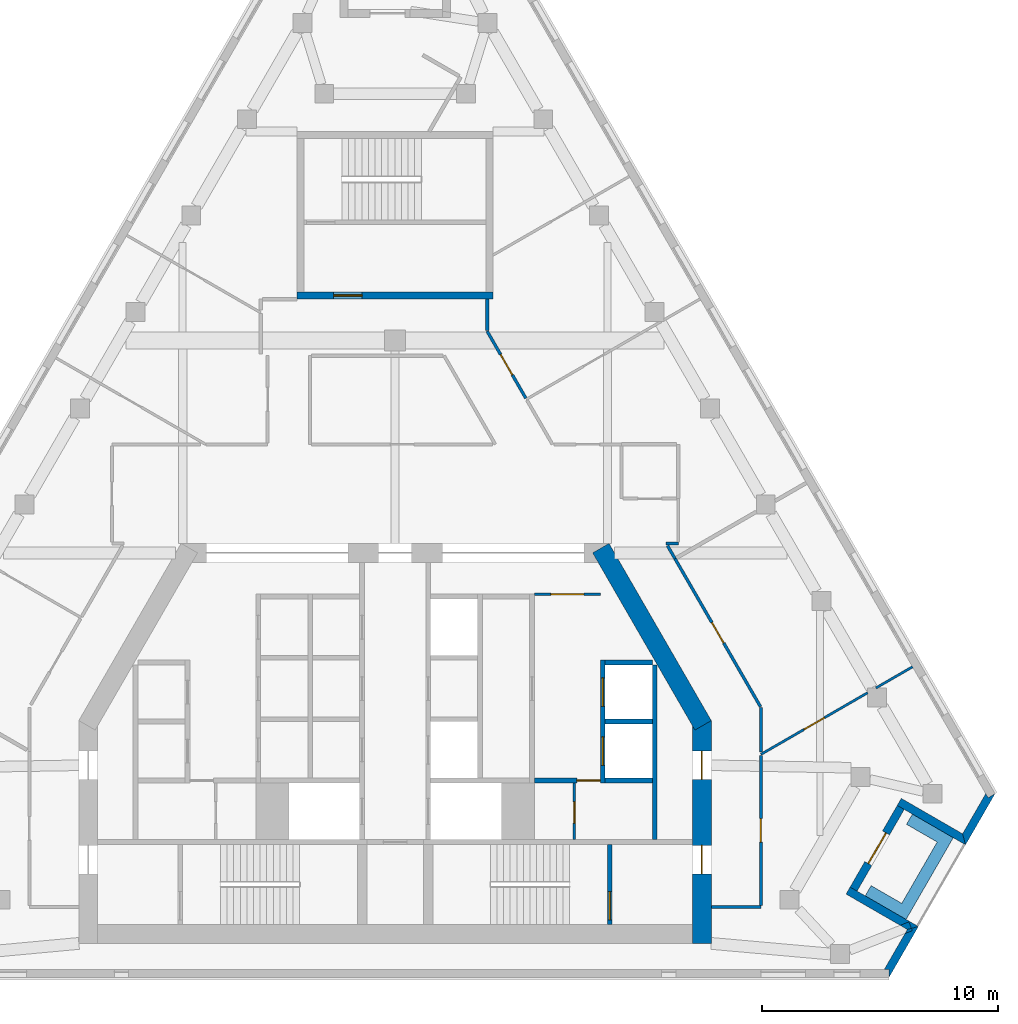
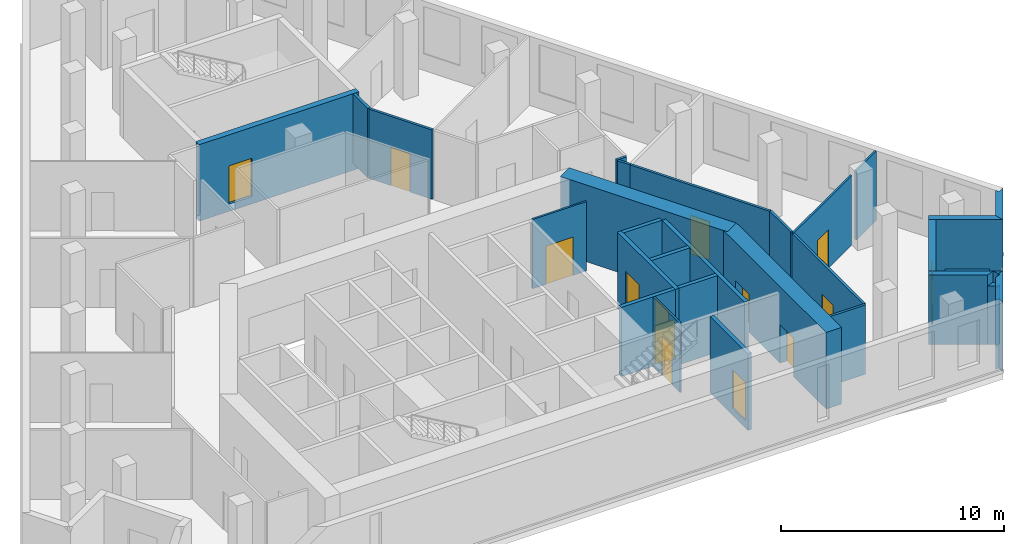
# One storey, part 5 of 9: 30 walls, 14 doors, 14 openings.
"""IFC4 building model written with IfcOpenShell, lengths in metres."""

from ifc_helpers import new_model, si_unit, direction, frame, frame_2d, origin, place, context, subcontext, project, spatial, polyline, rectangle, outline, extrude, material, layer, layer_set, type_object, element, fill, save


model = new_model("IFC4")

# Units and contexts
model_context = context("Model", 3, precision=1e-05, world=origin(), true_north=direction((0.0, 1.0)))
body_context = subcontext(model_context, "Body", "Model", "MODEL_VIEW")
ifc_project = project(units=[si_unit("LENGTHUNIT", "METRE"), si_unit("AREAUNIT", "SQUARE_METRE"), si_unit("VOLUMEUNIT", "CUBIC_METRE"), si_unit("PLANEANGLEUNIT", "RADIAN"), si_unit("MASSUNIT", "GRAM", prefix="KILO")], contexts=[model_context])

# Site, building, storey
site_placement = place(None, origin())
site = spatial("IfcSite", under=ifc_project, at=site_placement, CompositionType="ELEMENT")
building_placement = place(site_placement, origin())
building = spatial("IfcBuilding", under=site, at=building_placement, Name="Fogline Exchange Tower", CompositionType="ELEMENT")
storey_placement = place(building_placement, frame((0.0, 0.0, 279.300048828125)))
storey = spatial("IfcBuildingStorey", under=building, at=storey_placement, Name="L63", CompositionType="ELEMENT", Elevation=279.300048828125)

# Wall, opening, door
ifc_material_1 = material(Name="Blockwork partition", Category="masonry")
ifc_layer_1 = layer(ifc_material_1, 0.10009765625)
ifc_layer_set_1 = layer_set([ifc_layer_1], Name="CW10")
wall_type_1 = type_object("IfcWallType", Name="CW10", PredefinedType="PARTITIONING", material=ifc_layer_set_1)
wall_1_placement = place(storey_placement, frame((5.89990234375, 16.25, 0.0), z_axis=(0.0, 0.0, 1.0), x_axis=(1.0, 0.0, 0.0)))
wall_1 = element("IfcWall", 1, at=wall_1_placement, inside=storey, type_object=wall_type_1, Name="Lift lobby partition", PredefinedType="PARTITIONING", context=body_context, shape_type="SweptSolid", body=[
    extrude(rectangle(XDim=2.800048828125, YDim=0.10009765625, at=frame_2d((1.39990234375, 0.0))), origin(), (0.0, 0.0, 1.0), 3.800048828125),
])
opening_1_placement = place(wall_1_placement, frame((0.699951171875, 0.0, 0.0)))
opening_1 = element("IfcOpeningElement", 2, at=opening_1_placement, cuts=wall_1, Name="Opening T20-C017", PredefinedType="OPENING", context=body_context, shape_type="SweptSolid", body=[
    extrude(rectangle(XDim=1.39990234375, YDim=2.10009765625, at=frame_2d((0.699951171875, 1.050048828125))), frame((0.0, 0.06005859375, 0.0), z_axis=(0.0, -1.0, 0.0), x_axis=(1.0, 0.0, 0.0)), (0.0, 0.0, 1.0), 0.1201171875),
])
ifc_material_2 = material(Name="Steel and timber fire door", Category="steel")
door_type_1 = type_object("IfcDoorType", Name="D-LB1", OperationType="DOUBLE_DOOR_SINGLE_SWING", PredefinedType="DOOR", material=ifc_material_2)
door_1_placement = place(opening_1_placement, origin())
door_1 = element("IfcDoor", 3, at=door_1_placement, inside=storey, type_object=door_type_1, Name="Door to lift lobby", OperationType="DOUBLE_DOOR_SINGLE_SWING", OverallHeight=2.10009765625, OverallWidth=1.39990234375, PredefinedType="DOOR", context=body_context, shape_type="SweptSolid", body=[
    extrude(rectangle(XDim=1.39990234375, YDim=2.10009765625, at=frame_2d((0.699951171875, 1.050048828125))), frame((0.0, 0.02490234375, 0.0), z_axis=(0.0, -1.0, 0.0), x_axis=(1.0, 0.0, 0.0)), (0.0, 0.0, 1.0), 0.050048828125),
])
fill(opening_1, door_1)

wall_2_placement = place(storey_placement, frame((7.60009765625, 5.85009765625, 0.0), z_axis=(0.0, 0.0, 1.0), x_axis=(0.0, 1.0, 0.0)))
wall_2 = element("IfcWall", 4, at=wall_2_placement, inside=storey, type_object=wall_type_1, Name="WC partition", PredefinedType="PARTITIONING", context=body_context, shape_type="SweptSolid", body=[
    extrude(rectangle(XDim=2.39990234375, YDim=0.10009765625, at=frame_2d((1.199951171875, 0.0))), origin(), (0.0, 0.0, 1.0), 3.800048828125),
])
opening_2_placement = place(wall_2_placement, frame((0.699951171875, 0.0, 0.0)))
opening_2 = element("IfcOpeningElement", 5, at=opening_2_placement, cuts=wall_2, Name="Opening T20-C019", PredefinedType="OPENING", context=body_context, shape_type="SweptSolid", body=[
    extrude(rectangle(XDim=0.89990234375, YDim=2.10009765625, at=frame_2d((0.449951171875, 1.050048828125))), frame((0.0, 0.06005859375, 0.0), z_axis=(0.0, -1.0, 0.0), x_axis=(1.0, 0.0, 0.0)), (0.0, 0.0, 1.0), 0.1201171875),
])
door_type_2 = type_object("IfcDoorType", Name="D-CS1", OperationType="SINGLE_SWING_RIGHT", PredefinedType="DOOR", material=ifc_material_2)
door_2_placement = place(opening_2_placement, origin())
door_2 = element("IfcDoor", 6, at=door_2_placement, inside=storey, type_object=door_type_2, Name="Door to Cleaner's Store", OperationType="SINGLE_SWING_LEFT", OverallHeight=2.10009765625, OverallWidth=0.89990234375, PredefinedType="DOOR", context=body_context, shape_type="SweptSolid", body=[
    extrude(rectangle(XDim=0.89990234375, YDim=2.10009765625, at=frame_2d((0.449951171875, 1.050048828125))), frame((0.0, 0.02490234375, 0.0), z_axis=(0.0, -1.0, 0.0), x_axis=(1.0, 0.0, 0.0)), (0.0, 0.0, 1.0), 0.050048828125),
])
fill(opening_2, door_2)

# Wall
ifc_material_3 = material(Name="Concrete C40", Category="concrete")
ifc_layer_2 = layer(ifc_material_3, 0.199951171875)
ifc_layer_set_2 = layer_set([ifc_layer_2], Name="CW20")
wall_type_2 = type_object("IfcWallType", Name="CW20", PredefinedType="SOLIDWALL", material=ifc_layer_set_2)
wall_3_placement = place(storey_placement, frame((11.0, 5.85009765625, 0.0), z_axis=(0.0, 0.0, 1.0), x_axis=(0.0, 1.0, 0.0)))
element("IfcWall", 7, at=wall_3_placement, inside=storey, type_object=wall_type_2, Name="Service room wall", PredefinedType="SOLIDWALL", context=body_context, shape_type="SweptSolid", body=[
    extrude(rectangle(XDim=7.39990234375, YDim=0.199951171875, at=frame_2d((3.699951171875, 0.0))), origin(), (0.0, 0.0, 1.0), 3.800048828125),
])

# Wall, opening, door
wall_4_placement = place(storey_placement, frame((5.89990234375, 8.35009765625, 0.0), z_axis=(0.0, 0.0, 1.0), x_axis=(1.0, 0.0, 0.0)))
wall_4 = element("IfcWall", 8, at=wall_4_placement, inside=storey, type_object=wall_type_2, Name="WC wall", PredefinedType="SOLIDWALL", context=body_context, shape_type="SweptSolid", body=[
    extrude(rectangle(XDim=2.800048828125, YDim=0.199951171875, at=frame_2d((1.39990234375, 0.0))), origin(), (0.0, 0.0, 1.0), 3.800048828125),
])
opening_3_placement = place(wall_4_placement, frame((1.800048828125, 0.0, 0.0)))
opening_3 = element("IfcOpeningElement", 9, at=opening_3_placement, cuts=wall_4, Name="Opening T20-C018", PredefinedType="OPENING", context=body_context, shape_type="SweptSolid", body=[
    extrude(rectangle(XDim=1.0, YDim=2.10009765625, at=frame_2d((0.5, 1.050048828125))), frame((0.0, 0.10986328125, 0.0), z_axis=(0.0, -1.0, 0.0), x_axis=(1.0, 0.0, 0.0)), (0.0, 0.0, 1.0), 0.219970703125),
])
door_type_3 = type_object("IfcDoorType", Name="D-WC1", OperationType="SINGLE_SWING_LEFT", PredefinedType="DOOR", material=ifc_material_2)
door_3_placement = place(opening_3_placement, frame((1.0, 0.0, 0.0), z_axis=(0.0, 0.0, 1.0), x_axis=(-1.0, 0.0, 0.0)))
door_3 = element("IfcDoor", 10, at=door_3_placement, inside=storey, type_object=door_type_3, Name="Door to Women's WC", OperationType="SINGLE_SWING_LEFT", OverallHeight=2.10009765625, OverallWidth=1.0, PredefinedType="DOOR", context=body_context, shape_type="SweptSolid", body=[
    extrude(rectangle(XDim=1.0, YDim=2.10009765625, at=frame_2d((0.5, 1.050048828125))), frame((0.0, 0.02490234375, 0.0), z_axis=(0.0, -1.0, 0.0), x_axis=(1.0, 0.0, 0.0)), (0.0, 0.0, 1.0), 0.050048828125),
])
fill(opening_3, door_3)

ifc_layer_3 = layer(ifc_material_3, 0.199951171875)
ifc_layer_set_3 = layer_set([ifc_layer_3], Name="CW20R")
wall_type_3 = type_object("IfcWallType", Name="CW20R", PredefinedType="SOLIDWALL", material=ifc_layer_set_3)
wall_5_placement = place(storey_placement, frame((9.10009765625, 2.25, -0.400146484375), z_axis=(0.0, 0.0, 1.0), x_axis=(0.0, 1.0, 0.0)))
wall_5 = element("IfcWall", 11, at=wall_5_placement, inside=storey, type_object=wall_type_3, Name="Stair enclosure wall", PredefinedType="SOLIDWALL", context=body_context, shape_type="SweptSolid", body=[
    extrude(rectangle(XDim=3.39990234375, YDim=0.199951171875, at=frame_2d((1.699951171875, 0.0))), origin(), (0.0, 0.0, 1.0), 4.2001953125),
])
opening_4_placement = place(wall_5_placement, frame((0.199951171875, 0.0, 0.39990234375)))
opening_4 = element("IfcOpeningElement", 12, at=opening_4_placement, cuts=wall_5, Name="Opening T20-C021", PredefinedType="OPENING", context=body_context, shape_type="SweptSolid", body=[
    extrude(rectangle(XDim=1.199951171875, YDim=2.10009765625, at=frame_2d((0.60009765625, 1.050048828125))), frame((0.0, 0.10986328125, 0.0), z_axis=(0.0, -1.0, 0.0), x_axis=(1.0, 0.0, 0.0)), (0.0, 0.0, 1.0), 0.219970703125),
])
door_type_4 = type_object("IfcDoorType", Name="D-ST1", OperationType="SINGLE_SWING_LEFT", PredefinedType="DOOR", material=ifc_material_2)
door_4_placement = place(opening_4_placement, origin())
door_4 = element("IfcDoor", 13, at=door_4_placement, inside=storey, type_object=door_type_4, Name="Stair door ST2", OperationType="SINGLE_SWING_LEFT", OverallHeight=2.10009765625, OverallWidth=1.199951171875, PredefinedType="DOOR", context=body_context, shape_type="SweptSolid", body=[
    extrude(rectangle(XDim=1.199951171875, YDim=2.10009765625, at=frame_2d((0.60009765625, 1.050048828125))), frame((0.0, 0.02490234375, 0.0), z_axis=(0.0, -1.0, 0.0), x_axis=(1.0, 0.0, 0.0)), (0.0, 0.0, 1.0), 0.050048828125),
])
fill(opening_4, door_4)

# Wall, openings, doors
ifc_layer_4 = layer(ifc_material_3, 0.199951171875)
ifc_layer_set_4 = layer_set([ifc_layer_4], Name="CW20S")
wall_type_4 = type_object("IfcWallType", Name="CW20S", PredefinedType="SOLIDWALL", material=ifc_layer_set_4)
wall_6_placement = place(storey_placement, frame((8.800048828125, 8.25, -0.400146484375), z_axis=(0.0, 0.0, 1.0), x_axis=(0.0, 1.0, 0.0)))
wall_6 = element("IfcWall", 14, at=wall_6_placement, inside=storey, type_object=wall_type_4, Name="Lift shaft wall", PredefinedType="SOLIDWALL", context=body_context, shape_type="SweptSolid", body=[
    extrude(rectangle(XDim=5.199951171875, YDim=0.199951171875, at=frame_2d((2.60009765625, 0.0))), origin(), (0.0, 0.0, 1.0), 4.2001953125),
])
opening_5_placement = place(wall_6_placement, frame((0.75, 0.0, 0.39990234375)))
opening_5 = element("IfcOpeningElement", 15, at=opening_5_placement, cuts=wall_6, Name="Opening T20-LD02", PredefinedType="OPENING", context=body_context, shape_type="SweptSolid", body=[
    extrude(rectangle(XDim=1.199951171875, YDim=2.10009765625, at=frame_2d((0.60009765625, 1.050048828125))), frame((0.0, 0.10986328125, 0.0), z_axis=(0.0, -1.0, 0.0), x_axis=(1.0, 0.0, 0.0)), (0.0, 0.0, 1.0), 0.219970703125),
])
opening_6_placement = place(wall_6_placement, frame((3.25, 0.0, 0.39990234375)))
opening_6 = element("IfcOpeningElement", 16, at=opening_6_placement, cuts=wall_6, Name="Opening T20-LD03", PredefinedType="OPENING", context=body_context, shape_type="SweptSolid", body=[
    extrude(rectangle(XDim=1.199951171875, YDim=2.10009765625, at=frame_2d((0.60009765625, 1.050048828125))), frame((0.0, 0.10986328125, 0.0), z_axis=(0.0, -1.0, 0.0), x_axis=(1.0, 0.0, 0.0)), (0.0, 0.0, 1.0), 0.219970703125),
])
door_type_5 = type_object("IfcDoorType", Name="LD1", OperationType="SLIDING_TO_LEFT", PredefinedType="DOOR", material=ifc_material_2)
door_5_placement = place(opening_5_placement, origin())
door_5 = element("IfcDoor", 17, at=door_5_placement, inside=storey, type_object=door_type_5, Name="Landing door HR1", OperationType="SLIDING_TO_LEFT", OverallHeight=2.10009765625, OverallWidth=1.199951171875, PredefinedType="DOOR", context=body_context, shape_type="SweptSolid", body=[
    extrude(rectangle(XDim=1.199951171875, YDim=2.10009765625, at=frame_2d((0.60009765625, 1.050048828125))), frame((0.0, 0.02490234375, 0.0), z_axis=(0.0, -1.0, 0.0), x_axis=(1.0, 0.0, 0.0)), (0.0, 0.0, 1.0), 0.050048828125),
])
fill(opening_5, door_5)
door_6_placement = place(opening_6_placement, origin())
door_6 = element("IfcDoor", 18, at=door_6_placement, inside=storey, type_object=door_type_5, Name="Landing door HR2", OperationType="SLIDING_TO_LEFT", OverallHeight=2.10009765625, OverallWidth=1.199951171875, PredefinedType="DOOR", context=body_context, shape_type="SweptSolid", body=[
    extrude(rectangle(XDim=1.199951171875, YDim=2.10009765625, at=frame_2d((0.60009765625, 1.050048828125))), frame((0.0, 0.02490234375, 0.0), z_axis=(0.0, -1.0, 0.0), x_axis=(1.0, 0.0, 0.0)), (0.0, 0.0, 1.0), 0.050048828125),
])
fill(opening_6, door_6)

# Walls
for number, where, z_axis, x_axis, name in (
    (19, (8.89990234375, 8.35009765625, -0.400146484375), (0.0, 0.0, 1.0), (1.0, 0.0, 0.0), "Lift shaft wall"),
    (20, (8.89990234375, 10.85009765625, -0.400146484375), (0.0, 0.0, 1.0), (1.0, 0.0, 0.0), "Lift shaft wall"),
    (21, (8.89990234375, 13.35009765625, -0.400146484375), (0.0, 0.0, 1.0), (1.0, 0.0, 0.0), "Lift shaft wall"),
):
    element("IfcWall", number, at=place(storey_placement, frame(where, z_axis=z_axis, x_axis=x_axis)), inside=storey, type_object=wall_type_4, Name=name, PredefinedType="SOLIDWALL", context=body_context, shape_type="SweptSolid", body=[
        extrude(rectangle(XDim=2.0, YDim=0.199951171875, at=frame_2d((1.0, 0.0))), origin(), (0.0, 0.0, 1.0), 4.2001953125),
    ])

# Wall, opening, door
ifc_layer_5 = layer(ifc_material_3, 0.300048828125)
ifc_layer_set_5 = layer_set([ifc_layer_5], Name="CW30")
wall_type_5 = type_object("IfcWallType", Name="CW30", PredefinedType="SOLIDWALL", material=ifc_layer_set_5)
wall_7_placement = place(storey_placement, frame((-4.14990234375, 28.906982421875, -0.400146484375), z_axis=(0.0, 0.0, 1.0), x_axis=(1.0, 0.0, 0.0)))
wall_7 = element("IfcWall", 22, at=wall_7_placement, inside=storey, type_object=wall_type_5, Name="Stair enclosure wall ST3", PredefinedType="SOLIDWALL", context=body_context, shape_type="SweptSolid", body=[
    extrude(rectangle(XDim=8.2998046875, YDim=0.300048828125, at=frame_2d((4.14990234375, 0.0))), origin(), (0.0, 0.0, 1.0), 4.2001953125),
])
opening_7_placement = place(wall_7_placement, frame((1.550048828125, 0.0, 0.39990234375)))
opening_7 = element("IfcOpeningElement", 23, at=opening_7_placement, cuts=wall_7, Name="Opening T20-C026", PredefinedType="OPENING", context=body_context, shape_type="SweptSolid", body=[
    extrude(rectangle(XDim=1.199951171875, YDim=2.10009765625, at=frame_2d((0.60009765625, 1.050048828125))), frame((0.0, 0.16015625, 0.0), z_axis=(0.0, -1.0, 0.0), x_axis=(1.0, 0.0, 0.0)), (0.0, 0.0, 1.0), 0.320068359375),
])
door_type_6 = type_object("IfcDoorType", Name="D-FR1", OperationType="SINGLE_SWING_RIGHT", PredefinedType="DOOR", material=ifc_material_2)
door_7_placement = place(opening_7_placement, origin())
door_7 = element("IfcDoor", 24, at=door_7_placement, inside=storey, type_object=door_type_6, Name="Front room door ST3", OperationType="SINGLE_SWING_LEFT", OverallHeight=2.10009765625, OverallWidth=1.199951171875, PredefinedType="DOOR", context=body_context, shape_type="SweptSolid", body=[
    extrude(rectangle(XDim=1.199951171875, YDim=2.10009765625, at=frame_2d((0.60009765625, 1.050048828125))), frame((0.0, 0.02490234375, 0.0), z_axis=(0.0, -1.0, 0.0), x_axis=(1.0, 0.0, 0.0)), (0.0, 0.0, 1.0), 0.050048828125),
])
fill(opening_7, door_7)

# Walls
ifc_material_4 = material(Name="Brick masonry", Category="masonry")
ifc_layer_6 = layer(ifc_material_4, 0.340087890625)
ifc_layer_set_6 = layer_set([ifc_layer_6], Name="FW1")
wall_type_6 = type_object("IfcWallType", Name="FW1", PredefinedType="SOLIDWALL", material=ifc_layer_set_6)
wall_8_placement = place(storey_placement, origin())
element("IfcWall", 25, at=wall_8_placement, inside=storey, type_object=wall_type_6, Name="Brick wall L63 SE-c1", PredefinedType="SOLIDWALL", context=body_context, shape_type="SweptSolid", body=[
    extrude(outline(polyline([(21.709716796875, 2.041015625), (21.8818359375, 2.087158203125), (21.919921875, 1.99072265625), (21.610107421875, 1.86865234375), (21.709716796875, 2.041015625)])), origin(), (0.0, 0.0, 1.0), 3.199951171875),
])
wall_9_placement = place(storey_placement, origin())
element("IfcWall", 26, at=wall_9_placement, inside=storey, type_object=wall_type_6, Name="Brick wall L63 SE-c1", PredefinedType="SOLIDWALL", context=body_context, shape_type="SweptSolid", body=[
    extrude(outline(polyline([(20.924560546875, -0.001220703125), (20.924072265625, -0.0009765625), (20.924072265625, 0.33935546875), (20.727294921875, 0.33935546875), (21.610107421875, 1.86865234375), (21.919921875, 1.99072265625), (21.8818359375, 2.087158203125), (22.175537109375, 2.166015625), (22.175537109375, 2.165771484375), (20.924560546875, -0.001220703125)])), origin(), (0.0, 0.0, 1.0), 3.800048828125),
])
wall_10_placement = place(storey_placement, origin())
element("IfcWall", 27, at=wall_10_placement, inside=storey, type_object=wall_type_6, Name="Brick wall L63 SE-s1", PredefinedType="SOLIDWALL", context=body_context, shape_type="SweptSolid", body=[
    extrude(outline(polyline([(21.7099609375, 2.0400390625), (21.403076171875, 2.217041015625), (21.7734375, 2.36279296875), (21.88232421875, 2.086181640625), (21.7099609375, 2.0400390625)])), origin(), (0.0, 0.0, 1.0), 3.199951171875),
])
wall_11_placement = place(storey_placement, origin())
element("IfcWall", 28, at=wall_11_placement, inside=storey, type_object=wall_type_6, Name="Brick wall L63 SE-s1", PredefinedType="SOLIDWALL", context=body_context, shape_type="SweptSolid", body=[
    extrude(outline(polyline([(19.28173828125, 3.8359375), (19.576904296875, 3.66552734375), (22.17578125, 2.1650390625), (22.17578125, 2.164794921875), (21.88232421875, 2.086181640625), (21.7734375, 2.36279296875), (21.403076171875, 2.217041015625), (19.111328125, 3.540283203125), (19.28173828125, 3.8359375)])), origin(), (0.0, 0.0, 1.0), 3.800048828125),
])

# Wall, opening, door
wall_12_placement = place(storey_placement, frame((19.42919921875, 3.75, 0.0), z_axis=(0.0, 0.0, 1.0), x_axis=(0.49999894854, 0.866026010844, 0.0)))
wall_12 = element("IfcWall", 29, at=wall_12_placement, inside=storey, type_object=wall_type_6, Name="Brick wall L63 SE-bk", PredefinedType="SOLIDWALL", context=body_context, shape_type="SweptSolid", body=[
    extrude(rectangle(XDim=4.0, YDim=0.340087890625, at=frame_2d((2.0, 0.0))), origin(), (0.0, 0.0, 1.0), 3.800048828125),
])
opening_8_placement = place(wall_12_placement, frame((1.25, 0.0, 0.0)))
opening_8 = element("IfcOpeningElement", 30, at=opening_8_placement, cuts=wall_12, Name="Opening T20-E081", PredefinedType="OPENING", context=body_context, shape_type="SweptSolid", body=[
    extrude(rectangle(XDim=1.5, YDim=2.39990234375, at=frame_2d((0.75, 1.199951171875))), frame((0.0, 0.18017578125, 0.0), z_axis=(0.0, -1.0, 0.0), x_axis=(1.0, 0.0, 0.0)), (0.0, 0.0, 1.0), 0.360107421875),
])
ifc_material_5 = material(Name="Aluminium and glass", Category="aluminium")
door_type_7 = type_object("IfcDoorType", Name="ED4", OperationType="SINGLE_SWING_LEFT", PredefinedType="DOOR", material=ifc_material_5)
door_8_placement = place(opening_8_placement, frame((1.5, 0.0, 0.0), z_axis=(0.0, 0.0, 1.0), x_axis=(-1.0, 0.0, 0.0)))
door_8 = element("IfcDoor", 31, at=door_8_placement, inside=storey, type_object=door_type_7, Name="Balcony door L63 SE", OperationType="DOUBLE_DOOR_SINGLE_SWING", OverallHeight=2.39990234375, OverallWidth=1.5, PredefinedType="DOOR", context=body_context, shape_type="SweptSolid", body=[
    extrude(rectangle(XDim=1.5, YDim=2.39990234375, at=frame_2d((0.75, 1.199951171875))), frame((0.0, 0.02490234375, 0.0), z_axis=(0.0, -1.0, 0.0), x_axis=(1.0, 0.0, 0.0)), (0.0, 0.0, 1.0), 0.050048828125),
])
fill(opening_8, door_8)

# Walls
wall_13_placement = place(storey_placement, origin())
element("IfcWall", 32, at=wall_13_placement, inside=storey, type_object=wall_type_6, Name="Brick wall L63 SE-s2", PredefinedType="SOLIDWALL", context=body_context, shape_type="SweptSolid", body=[
    extrude(outline(polyline([(24.17529296875, 5.628173828125), (21.576171875, 7.128662109375), (21.28125, 7.298828125), (21.451904296875, 7.594482421875), (24.050537109375, 6.093994140625), (24.175537109375, 5.62841796875), (24.17529296875, 5.628173828125)])), origin(), (0.0, 0.0, 1.0), 3.800048828125),
])
wall_14_placement = place(storey_placement, origin())
element("IfcWall", 33, at=wall_14_placement, inside=storey, type_object=wall_type_6, Name="Brick wall L63 SE-c2", PredefinedType="SOLIDWALL", context=body_context, shape_type="SweptSolid", body=[
    extrude(outline(polyline([(25.031982421875, 7.79541015625), (25.13037109375, 7.625), (25.42529296875, 7.79541015625), (25.425537109375, 7.794921875), (24.174560546875, 5.6279296875), (24.17431640625, 5.6279296875), (24.049560546875, 6.09375), (25.031982421875, 7.79541015625)])), origin(), (0.0, 0.0, 1.0), 3.800048828125),
])
ifc_material_6 = material(Name="Concrete C30", Category="concrete")
ifc_layer_7 = layer(ifc_material_6, 0.199951171875)
ifc_layer_set_7 = layer_set([ifc_layer_7], Name="PL1")
wall_type_7 = type_object("IfcWallType", Name="PL1", PredefinedType="USERDEFINED", material=ifc_layer_set_7)
wall_15_placement = place(storey_placement, origin())
element("IfcWall", 34, at=wall_15_placement, inside=storey, type_object=wall_type_7, Name="PLANTER balcony L63 SE", ObjectType="PLANTER", PredefinedType="USERDEFINED", context=body_context, shape_type="SweptSolid", body=[
    extrude(outline(polyline([(19.9228515625, 3.465087890625), (21.221923828125, 2.715087890625), (21.221923828125, 2.715087890625), (21.655029296875, 2.465087890625), (23.405029296875, 5.49609375), (23.655029296875, 5.92919921875), (21.9228515625, 6.92919921875), (21.6728515625, 6.49609375), (22.971923828125, 5.74609375), (21.471923828125, 3.148193359375), (20.1728515625, 3.898193359375), (19.9228515625, 3.465087890625)])), origin(), (0.0, 0.0, 1.0), 1.099853515625),
])

# Wall, opening, door
ifc_material_7 = material(Name="Plasterboard partition, 2 layers each side on steel studs", Category="steel")
ifc_layer_8 = layer(ifc_material_7, 0.10009765625)
ifc_layer_set_8 = layer_set([ifc_layer_8], Name="PW1")
wall_type_8 = type_object("IfcWallType", Name="PW1", PredefinedType="PARTITIONING", material=ifc_layer_set_8)
wall_16_placement = place(storey_placement, frame((15.5, 9.4599609375, 0.0), z_axis=(0.0, 0.0, 1.0), x_axis=(0.866036909293, 0.499980071345, 0.0)))
wall_16 = element("IfcWall", 35, at=wall_16_placement, inside=storey, type_object=wall_type_8, Name="wall-L63-W046", PredefinedType="PARTITIONING", context=body_context, shape_type="SweptSolid", body=[
    extrude(rectangle(XDim=5.222900390625, YDim=0.10009765625, at=frame_2d((2.611328125, 0.0))), origin(), (0.0, 0.0, 1.0), 3.800048828125),
])
opening_9_placement = place(wall_16_placement, frame((2.111328125, 0.0, 0.0)))
opening_9 = element("IfcOpeningElement", 36, at=opening_9_placement, cuts=wall_16, Name="Opening T20-D016", PredefinedType="OPENING", context=body_context, shape_type="SweptSolid", body=[
    extrude(rectangle(XDim=1.0, YDim=2.10009765625, at=frame_2d((0.5, 1.050048828125))), frame((0.0, 0.06005859375, 0.0), z_axis=(0.0, -1.0, 0.0), x_axis=(1.0, 0.0, 0.0)), (0.0, 0.0, 1.0), 0.1201171875),
])
ifc_material_8 = material(Name="Timber door leaf with steel frame", Category="steel")
door_type_8 = type_object("IfcDoorType", Name="D1", OperationType="SINGLE_SWING_LEFT", PredefinedType="DOOR", material=ifc_material_8)
door_9_placement = place(opening_9_placement, origin())
door_9 = element("IfcDoor", 37, at=door_9_placement, inside=storey, type_object=door_type_8, Name="door-L63-D016", OperationType="SINGLE_SWING_LEFT", OverallHeight=2.10009765625, OverallWidth=1.0, PredefinedType="DOOR", context=body_context, shape_type="SweptSolid", body=[
    extrude(rectangle(XDim=1.0, YDim=2.10009765625, at=frame_2d((0.5, 1.050048828125))), frame((0.0, 0.02490234375, 0.0), z_axis=(0.0, -1.0, 0.0), x_axis=(1.0, 0.0, 0.0)), (0.0, 0.0, 1.0), 0.050048828125),
])
fill(opening_9, door_9)

# Walls
wall_17_placement = place(storey_placement, frame((20.37939453125, 12.277099609375, 0.0), z_axis=(0.0, 0.0, 1.0), x_axis=(0.866058244174, 0.499943114462, 0.0)))
element("IfcWall", 38, at=wall_17_placement, inside=storey, type_object=wall_type_8, Name="wall-L63-W047", PredefinedType="PARTITIONING", context=body_context, shape_type="SweptSolid", body=[
    extrude(rectangle(XDim=1.787841796875, YDim=0.10009765625, at=frame_2d((0.89404296875, 0.0))), origin(), (0.0, 0.0, 1.0), 3.800048828125),
])
ifc_material_9 = material(Name="Plasterboard corridor partition with mineral wool, 2 layers each side")
ifc_layer_9 = layer(ifc_material_9, 0.125)
ifc_layer_set_9 = layer_set([ifc_layer_9], Name="PW2")
wall_type_9 = type_object("IfcWallType", Name="PW2", PredefinedType="PARTITIONING", material=ifc_layer_set_9)
wall_18_placement = place(storey_placement, frame((11.54443359375, 18.305908203125, 0.0), z_axis=(0.0, 0.0, 1.0), x_axis=(0.499920965119, -0.866071029786, 0.0)))
element("IfcWall", 39, at=wall_18_placement, inside=storey, type_object=wall_type_9, Name="wall-L63-W001", PredefinedType="PARTITIONING", context=body_context, shape_type="SweptSolid", body=[
    extrude(rectangle(XDim=0.638671875, YDim=0.125, at=frame_2d((0.3193359375, 0.0))), origin(), (0.0, 0.0, 1.0), 3.800048828125),
])

# Wall, opening, door
wall_19_placement = place(storey_placement, frame((15.5, 9.416015625, 0.0), z_axis=(0.0, 0.0, 1.0), x_axis=(0.0, -1.0, 0.0)))
wall_19 = element("IfcWall", 40, at=wall_19_placement, inside=storey, type_object=wall_type_9, Name="wall-L63-W002", PredefinedType="PARTITIONING", context=body_context, shape_type="SweptSolid", body=[
    extrude(rectangle(XDim=6.353515625, YDim=0.125, at=frame_2d((3.1767578125, 0.0))), origin(), (0.0, 0.0, 1.0), 3.800048828125),
])
opening_10_placement = place(wall_19_placement, frame((2.6767578125, 0.0, 0.0)))
opening_10 = element("IfcOpeningElement", 41, at=opening_10_placement, cuts=wall_19, Name="Opening T20-D001", PredefinedType="OPENING", context=body_context, shape_type="SweptSolid", body=[
    extrude(rectangle(XDim=1.0, YDim=2.10009765625, at=frame_2d((0.5, 1.050048828125))), frame((0.0, 0.072509765625, 0.0), z_axis=(0.0, -1.0, 0.0), x_axis=(1.0, 0.0, 0.0)), (0.0, 0.0, 1.0), 0.14501953125),
])
ifc_material_10 = material(Name="Fire-rated timber door leaf with steel frame", Category="steel")
door_type_9 = type_object("IfcDoorType", Name="D3", OperationType="SINGLE_SWING_LEFT", PredefinedType="DOOR", material=ifc_material_10)
door_10_placement = place(opening_10_placement, origin())
door_10 = element("IfcDoor", 42, at=door_10_placement, inside=storey, type_object=door_type_9, Name="door-L63-D001", OperationType="SINGLE_SWING_LEFT", OverallHeight=2.10009765625, OverallWidth=1.0, PredefinedType="DOOR", context=body_context, shape_type="SweptSolid", body=[
    extrude(rectangle(XDim=1.0, YDim=2.10009765625, at=frame_2d((0.5, 1.050048828125))), frame((0.0, 0.02490234375, 0.0), z_axis=(0.0, -1.0, 0.0), x_axis=(1.0, 0.0, 0.0)), (0.0, 0.0, 1.0), 0.050048828125),
])
fill(opening_10, door_10)

# Wall
wall_20_placement = place(storey_placement, frame((15.5, 3.0, 0.0), z_axis=(0.0, 0.0, 1.0), x_axis=(-1.0, 0.0, 0.0)))
element("IfcWall", 43, at=wall_20_placement, inside=storey, type_object=wall_type_9, Name="wall-L63-W003", PredefinedType="PARTITIONING", context=body_context, shape_type="SweptSolid", body=[
    extrude(rectangle(XDim=2.10009765625, YDim=0.125, at=frame_2d((1.050048828125, 0.0))), origin(), (0.0, 0.0, 1.0), 3.800048828125),
])

# Wall, opening, door
wall_21_placement = place(storey_placement, frame((11.86376953125, 17.752685546875, 0.0), z_axis=(0.0, 0.0, 1.0), x_axis=(0.49998997746, -0.866031190223, 0.0)))
wall_21 = element("IfcWall", 44, at=wall_21_placement, inside=storey, type_object=wall_type_9, Name="wall-L63-W004", PredefinedType="PARTITIONING", context=body_context, shape_type="SweptSolid", body=[
    extrude(rectangle(XDim=7.241455078125, YDim=0.125, at=frame_2d((3.62060546875, 0.0))), origin(), (0.0, 0.0, 1.0), 3.800048828125),
])
opening_11_placement = place(wall_21_placement, frame((3.12060546875, 0.0, 0.0)))
opening_11 = element("IfcOpeningElement", 45, at=opening_11_placement, cuts=wall_21, Name="Opening T20-D002", PredefinedType="OPENING", context=body_context, shape_type="SweptSolid", body=[
    extrude(rectangle(XDim=1.0, YDim=2.10009765625, at=frame_2d((0.5, 1.050048828125))), frame((0.0, 0.072509765625, 0.0), z_axis=(0.0, -1.0, 0.0), x_axis=(1.0, 0.0, 0.0)), (0.0, 0.0, 1.0), 0.14501953125),
])
door_11_placement = place(opening_11_placement, origin())
door_11 = element("IfcDoor", 46, at=door_11_placement, inside=storey, type_object=door_type_9, Name="door-L63-D002", OperationType="SINGLE_SWING_LEFT", OverallHeight=2.10009765625, OverallWidth=1.0, PredefinedType="DOOR", context=body_context, shape_type="SweptSolid", body=[
    extrude(rectangle(XDim=1.0, YDim=2.10009765625, at=frame_2d((0.5, 1.050048828125))), frame((0.0, 0.02490234375, 0.0), z_axis=(0.0, -1.0, 0.0), x_axis=(1.0, 0.0, 0.0)), (0.0, 0.0, 1.0), 0.050048828125),
])
fill(opening_11, door_11)

# Walls
wall_22_placement = place(storey_placement, frame((15.5, 11.45458984375, 0.0), z_axis=(0.0, 0.0, 1.0), x_axis=(0.0, -1.0, 0.0)))
element("IfcWall", 47, at=wall_22_placement, inside=storey, type_object=wall_type_9, Name="wall-L63-W005", PredefinedType="PARTITIONING", context=body_context, shape_type="SweptSolid", body=[
    extrude(rectangle(XDim=1.900390625, YDim=0.125, at=frame_2d((0.9501953125, 0.0))), origin(), (0.0, 0.0, 1.0), 3.800048828125),
])
wall_23_placement = place(storey_placement, frame((12.0, 18.39990234375, 0.0), z_axis=(0.0, 0.0, 1.0), x_axis=(-1.0, 0.0, 0.0)))
element("IfcWall", 48, at=wall_23_placement, inside=storey, type_object=wall_type_9, Name="wall-L63-W010", PredefinedType="PARTITIONING", context=body_context, shape_type="SweptSolid", body=[
    extrude(rectangle(XDim=0.510009765625, YDim=0.125, at=frame_2d((0.2548828125, 0.0))), origin(), (0.0, 0.0, 1.0), 3.800048828125),
])

# Wall, opening, door
wall_24_placement = place(storey_placement, frame((3.89990234375, 27.39599609375, 0.0), z_axis=(0.0, 0.0, 1.0), x_axis=(0.499986396743, -0.866033257486, 0.0)))
wall_24 = element("IfcWall", 49, at=wall_24_placement, inside=storey, type_object=wall_type_9, Name="wall-L63-W029", PredefinedType="PARTITIONING", context=body_context, shape_type="SweptSolid", body=[
    extrude(rectangle(XDim=3.28271484375, YDim=0.125, at=frame_2d((1.641357421875, 0.0))), origin(), (0.0, 0.0, 1.0), 3.800048828125),
])
opening_12_placement = place(wall_24_placement, frame((1.141357421875, 0.0, 0.0)))
opening_12 = element("IfcOpeningElement", 50, at=opening_12_placement, cuts=wall_24, Name="Opening T20-D010", PredefinedType="OPENING", context=body_context, shape_type="SweptSolid", body=[
    extrude(rectangle(XDim=1.0, YDim=2.10009765625, at=frame_2d((0.5, 1.050048828125))), frame((0.0, 0.072509765625, 0.0), z_axis=(0.0, -1.0, 0.0), x_axis=(1.0, 0.0, 0.0)), (0.0, 0.0, 1.0), 0.14501953125),
])
door_12_placement = place(opening_12_placement, origin())
door_12 = element("IfcDoor", 51, at=door_12_placement, inside=storey, type_object=door_type_9, Name="door-L63-D010", OperationType="SINGLE_SWING_RIGHT", OverallHeight=2.10009765625, OverallWidth=1.0, PredefinedType="DOOR", context=body_context, shape_type="SweptSolid", body=[
    extrude(rectangle(XDim=1.0, YDim=2.10009765625, at=frame_2d((0.5, 1.050048828125))), frame((0.0, 0.02490234375, 0.0), z_axis=(0.0, -1.0, 0.0), x_axis=(1.0, 0.0, 0.0)), (0.0, 0.0, 1.0), 0.050048828125),
])
fill(opening_12, door_12)

# Wall
ifc_material_11 = material(Name="Plasterboard stair lobby partition, 3 layers each side on steel studs", Category="steel")
ifc_layer_10 = layer(ifc_material_11, 0.14990234375)
ifc_layer_set_10 = layer_set([ifc_layer_10], Name="PW4")
wall_type_10 = type_object("IfcWallType", Name="PW4", PredefinedType="PARTITIONING", material=ifc_layer_set_10)
wall_25_placement = place(storey_placement, frame((3.89990234375, 28.757080078125, 0.0), z_axis=(0.0, 0.0, 1.0), x_axis=(0.0, -1.0, 0.0)))
element("IfcWall", 52, at=wall_25_placement, inside=storey, type_object=wall_type_10, Name="wall-L63-W021", PredefinedType="PARTITIONING", context=body_context, shape_type="SweptSolid", body=[
    extrude(rectangle(XDim=1.330078125, YDim=0.14990234375, at=frame_2d((0.6650390625, 0.0))), origin(), (0.0, 0.0, 1.0), 3.800048828125),
])

# Wall, openings, doors
ifc_material_12 = material(Name="Concrete C50", Category="concrete")
ifc_layer_11 = layer(ifc_material_12, 0.800048828125)
ifc_layer_set_11 = layer_set([ifc_layer_11], Name="SW04")
wall_type_11 = type_object("IfcWallType", Name="SW04", PredefinedType="SHEAR", material=ifc_layer_set_11)
wall_26_placement = place(storey_placement, frame((13.0, 1.449951171875, 0.0), z_axis=(0.0, 0.0, 1.0), x_axis=(0.0, 1.0, 0.0)))
wall_26 = element("IfcWall", 53, at=wall_26_placement, inside=storey, type_object=wall_type_11, Name="L63-W902", PredefinedType="SHEAR", context=body_context, shape_type="SweptSolid", body=[
    extrude(rectangle(XDim=9.44189453125, YDim=0.800048828125, at=frame_2d((4.720947265625, 0.0))), origin(), (0.0, 0.0, 1.0), 4.199951171875),
])
opening_13_placement = place(wall_26_placement, frame((2.949951171875, 0.0, 0.0)))
opening_13 = element("IfcOpeningElement", 54, at=opening_13_placement, cuts=wall_26, Name="Opening T20-C020", PredefinedType="OPENING", context=body_context, shape_type="SweptSolid", body=[
    extrude(rectangle(XDim=1.199951171875, YDim=2.10009765625, at=frame_2d((0.60009765625, 1.050048828125))), frame((0.0, 0.41015625, 0.0), z_axis=(0.0, -1.0, 0.0), x_axis=(1.0, 0.0, 0.0)), (0.0, 0.0, 1.0), 0.820068359375),
])
opening_14_placement = place(wall_26_placement, frame((6.949951171875, 0.0, 0.0)))
opening_14 = element("IfcOpeningElement", 55, at=opening_14_placement, cuts=wall_26, Name="Opening T20-C022", PredefinedType="OPENING", context=body_context, shape_type="SweptSolid", body=[
    extrude(rectangle(XDim=1.199951171875, YDim=2.10009765625, at=frame_2d((0.60009765625, 1.050048828125))), frame((0.0, 0.41015625, 0.0), z_axis=(0.0, -1.0, 0.0), x_axis=(1.0, 0.0, 0.0)), (0.0, 0.0, 1.0), 0.820068359375),
])
door_13_placement = place(opening_13_placement, origin())
door_13 = element("IfcDoor", 56, at=door_13_placement, inside=storey, type_object=door_type_6, Name="Front room door ST2", OperationType="SINGLE_SWING_RIGHT", OverallHeight=2.10009765625, OverallWidth=1.199951171875, PredefinedType="DOOR", context=body_context, shape_type="SweptSolid", body=[
    extrude(rectangle(XDim=1.199951171875, YDim=2.10009765625, at=frame_2d((0.60009765625, 1.050048828125))), frame((0.0, 0.02490234375, 0.0), z_axis=(0.0, -1.0, 0.0), x_axis=(1.0, 0.0, 0.0)), (0.0, 0.0, 1.0), 0.050048828125),
])
fill(opening_13, door_13)
door_type_10 = type_object("IfcDoorType", Name="D-SV1", OperationType="SINGLE_SWING_LEFT", PredefinedType="DOOR", material=ifc_material_2)
door_14_placement = place(opening_14_placement, origin())
door_14 = element("IfcDoor", 57, at=door_14_placement, inside=storey, type_object=door_type_10, Name="Service door E", OperationType="SINGLE_SWING_RIGHT", OverallHeight=2.10009765625, OverallWidth=1.199951171875, PredefinedType="DOOR", context=body_context, shape_type="SweptSolid", body=[
    extrude(rectangle(XDim=1.199951171875, YDim=2.10009765625, at=frame_2d((0.60009765625, 1.050048828125))), frame((0.0, 0.02490234375, 0.0), z_axis=(0.0, -1.0, 0.0), x_axis=(1.0, 0.0, 0.0)), (0.0, 0.0, 1.0), 0.050048828125),
])
fill(opening_14, door_14)

# Wall
wall_27_placement = place(storey_placement, frame((13.0537109375, 10.69189453125, 0.0), z_axis=(0.0, 0.0, 1.0), x_axis=(-0.500015780397, 0.866016292776, 0.0)))
element("IfcWall", 58, at=wall_27_placement, inside=storey, type_object=wall_type_11, Name="L63-W903", PredefinedType="SHEAR", context=body_context, shape_type="SweptSolid", body=[
    extrude(rectangle(XDim=8.669677734375, YDim=0.800048828125, at=frame_2d((4.3349609375, 0.0))), origin(), (0.0, 0.0, 1.0), 4.199951171875),
])

save(model, "model.ifc")
